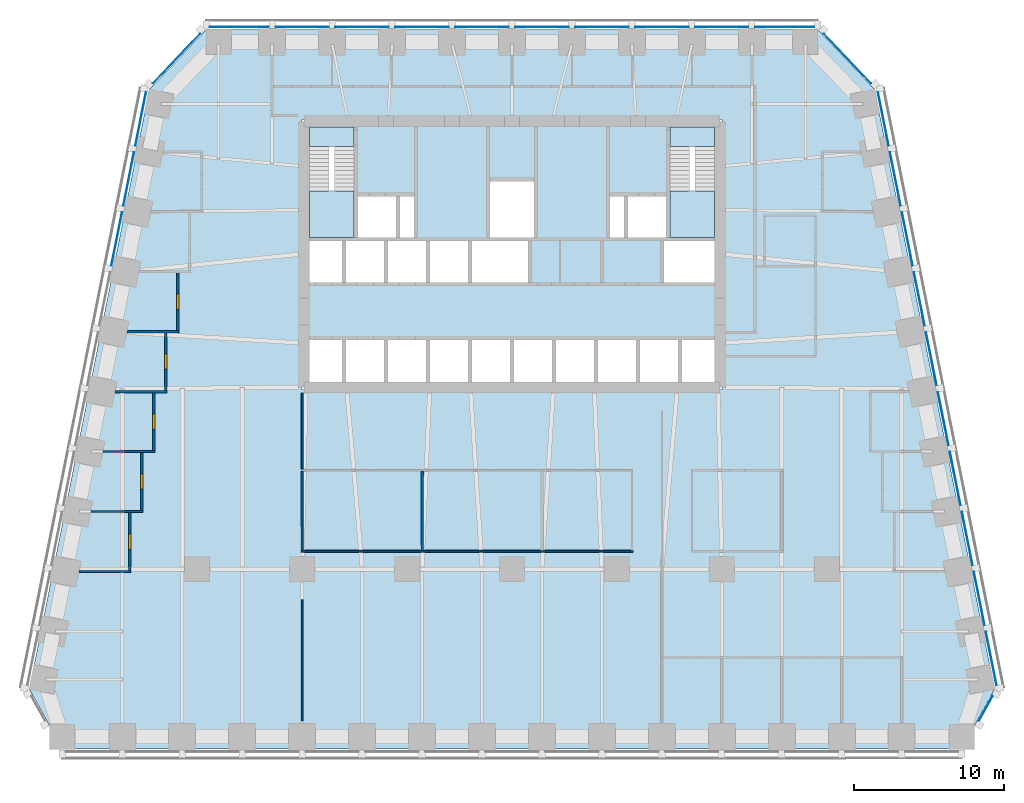
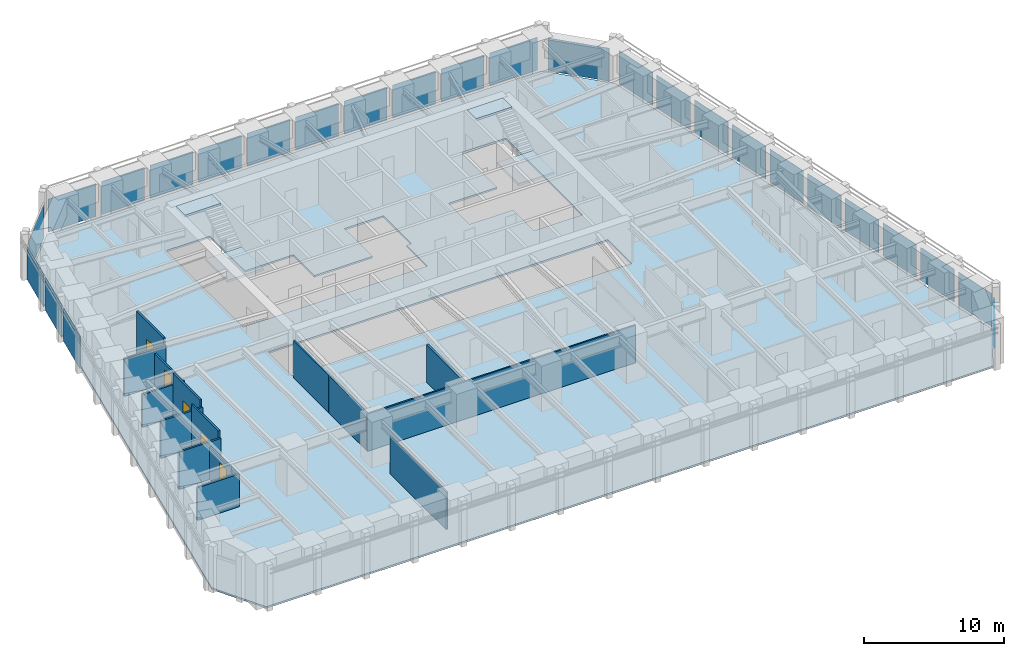
# One storey, part 5 of 10: 26 plates, 15 walls, 5 doors, 5 slabs, 5 openings, 8 elements without a shape of their own.
"""IFC4 building model written with IfcOpenShell, lengths in metres."""

from ifc_helpers import new_model, si_unit, direction, frame, frame_2d, origin, origin_2d, place, context, subcontext, project, spatial, polyline, rectangle, outline, extrude, material, layer, layer_set, type_object, element, fill, aggregate, save


model = new_model("IFC4")

# Units and contexts
model_context = context("Model", 3, precision=1e-05, world=origin(), true_north=direction((0.0, 1.0)))
body_context = subcontext(model_context, "Body", "Model", "MODEL_VIEW")
ifc_project = project(units=[si_unit("LENGTHUNIT", "METRE"), si_unit("AREAUNIT", "SQUARE_METRE"), si_unit("VOLUMEUNIT", "CUBIC_METRE"), si_unit("PLANEANGLEUNIT", "RADIAN"), si_unit("MASSUNIT", "GRAM", prefix="KILO")], contexts=[model_context])

# Site, building, storey
site_placement = place(None, origin())
site = spatial("IfcSite", under=ifc_project, at=site_placement, CompositionType="ELEMENT")
building_placement = place(site_placement, origin())
building = spatial("IfcBuilding", under=site, at=building_placement, Name="Isbrekke Arena Tower", CompositionType="ELEMENT")
storey_placement = place(building_placement, frame((0.0, 0.0, 159.0)))
storey = spatial("IfcBuildingStorey", under=building, at=storey_placement, Name="L36", CompositionType="ELEMENT", Elevation=159.0)

# Curtain wall, plate
ifc_material_1 = material(Name="Glazed aluminium curtain wall", Category="aluminium")
curtain_wall_type = type_object("IfcCurtainWallType", Name="CWM TOWER CURTAIN WALL MID ZONE", PredefinedType="USERDEFINED", material=ifc_material_1)
curtain_wall_1_placement = place(storey_placement, origin())
curtain_wall_1 = element("IfcCurtainWall", 1, at=curtain_wall_1_placement, inside=storey, type_object=curtain_wall_type, Name="CWM curtain wall L36-SE", ObjectType="TOWER CURTAIN WALL MID ZONE", PredefinedType="USERDEFINED")
ifc_material_2 = material(Name="Triple-glazed clear glass unit", Category="glass")
ifc_layer_1 = layer(ifc_material_2, 0.031982421875)
ifc_layer_set_1 = layer_set([ifc_layer_1], Name="CWM-P VISION PANEL")
plate_type = type_object("IfcPlateType", Name="CWM-P VISION PANEL", PredefinedType="CURTAIN_PANEL", material=ifc_layer_set_1)
plate_1_placement = place(storey_placement, frame((31.604248046875, -15.29052734375, 0.02001953125), z_axis=(0.0, 0.0, 1.0), x_axis=(0.481918749773, 0.876215908676, 0.0)))
plate_1 = element("IfcPlate", 2, at=plate_1_placement, type_object=plate_type, Name="CWM-P panel 1", PredefinedType="CURTAIN_PANEL", context=body_context, shape_type="SweptSolid", body=[
    extrude(rectangle(XDim=1.876220703125, YDim=0.031982421875, at=origin_2d()), origin(), (0.0, 0.0, 1.0), 2.8798828125),
])
aggregate(curtain_wall_1, [plate_1])

# Curtain wall, plates
curtain_wall_2_placement = place(storey_placement, origin())
curtain_wall_2 = element("IfcCurtainWall", 3, at=curtain_wall_2_placement, inside=storey, type_object=curtain_wall_type, Name="CWM curtain wall L36-E", ObjectType="TOWER CURTAIN WALL MID ZONE", PredefinedType="USERDEFINED")
plate_2_placement = place(storey_placement, frame((31.9716796875, -11.965576171875, 0.02001953125), z_axis=(0.0, 0.0, 1.0), x_axis=(-0.196116135138, 0.980580675691, 0.0)))
plate_2 = element("IfcPlate", 4, at=plate_2_placement, type_object=plate_type, Name="CWM-P panel 1", PredefinedType="CURTAIN_PANEL", context=body_context, shape_type="SweptSolid", body=[
    extrude(rectangle(XDim=3.629150390625, YDim=0.031982421875, at=origin_2d()), origin(), (0.0, 0.0, 1.0), 2.8798828125),
])
plate_3_placement = place(storey_placement, frame((31.171630859375, -7.965576171875, 0.02001953125), z_axis=(0.0, 0.0, 1.0), x_axis=(-0.196116135138, 0.980580675691, 0.0)))
plate_3 = element("IfcPlate", 5, at=plate_3_placement, type_object=plate_type, Name="CWM-P panel 2", PredefinedType="CURTAIN_PANEL", context=body_context, shape_type="SweptSolid", body=[
    extrude(rectangle(XDim=3.629150390625, YDim=0.031982421875, at=origin_2d()), origin(), (0.0, 0.0, 1.0), 2.8798828125),
])
plate_4_placement = place(storey_placement, frame((30.37158203125, -3.965576171875, 0.02001953125), z_axis=(0.0, 0.0, 1.0), x_axis=(-0.196116135138, 0.980580675691, 0.0)))
plate_4 = element("IfcPlate", 6, at=plate_4_placement, type_object=plate_type, Name="CWM-P panel 3", PredefinedType="CURTAIN_PANEL", context=body_context, shape_type="SweptSolid", body=[
    extrude(rectangle(XDim=3.629150390625, YDim=0.031982421875, at=origin_2d()), origin(), (0.0, 0.0, 1.0), 2.8798828125),
])
plate_5_placement = place(storey_placement, frame((29.571533203125, 0.034423828125, 0.02001953125), z_axis=(0.0, 0.0, 1.0), x_axis=(-0.196116135138, 0.980580675691, 0.0)))
plate_5 = element("IfcPlate", 7, at=plate_5_placement, type_object=plate_type, Name="CWM-P panel 4", PredefinedType="CURTAIN_PANEL", context=body_context, shape_type="SweptSolid", body=[
    extrude(rectangle(XDim=3.629150390625, YDim=0.031982421875, at=origin_2d()), origin(), (0.0, 0.0, 1.0), 2.8798828125),
])
plate_6_placement = place(storey_placement, frame((28.771484375, 4.034423828125, 0.02001953125), z_axis=(0.0, 0.0, 1.0), x_axis=(-0.196116135138, 0.980580675691, 0.0)))
plate_6 = element("IfcPlate", 8, at=plate_6_placement, type_object=plate_type, Name="CWM-P panel 5", PredefinedType="CURTAIN_PANEL", context=body_context, shape_type="SweptSolid", body=[
    extrude(rectangle(XDim=3.629150390625, YDim=0.031982421875, at=origin_2d()), origin(), (0.0, 0.0, 1.0), 2.8798828125),
])
plate_7_placement = place(storey_placement, frame((27.9716796875, 8.034423828125, 0.02001953125), z_axis=(0.0, 0.0, 1.0), x_axis=(-0.196116135138, 0.980580675691, 0.0)))
plate_7 = element("IfcPlate", 9, at=plate_7_placement, type_object=plate_type, Name="CWM-P panel 6", PredefinedType="CURTAIN_PANEL", context=body_context, shape_type="SweptSolid", body=[
    extrude(rectangle(XDim=3.629150390625, YDim=0.031982421875, at=origin_2d()), origin(), (0.0, 0.0, 1.0), 2.8798828125),
])
plate_8_placement = place(storey_placement, frame((27.171630859375, 12.034423828125, 0.02001953125), z_axis=(0.0, 0.0, 1.0), x_axis=(-0.196116135138, 0.980580675691, 0.0)))
plate_8 = element("IfcPlate", 10, at=plate_8_placement, type_object=plate_type, Name="CWM-P panel 7", PredefinedType="CURTAIN_PANEL", context=body_context, shape_type="SweptSolid", body=[
    extrude(rectangle(XDim=3.629150390625, YDim=0.031982421875, at=origin_2d()), origin(), (0.0, 0.0, 1.0), 2.8798828125),
])
plate_9_placement = place(storey_placement, frame((26.37158203125, 16.034423828125, 0.02001953125), z_axis=(0.0, 0.0, 1.0), x_axis=(-0.196116135138, 0.980580675691, 0.0)))
plate_9 = element("IfcPlate", 11, at=plate_9_placement, type_object=plate_type, Name="CWM-P panel 8", PredefinedType="CURTAIN_PANEL", context=body_context, shape_type="SweptSolid", body=[
    extrude(rectangle(XDim=3.629150390625, YDim=0.031982421875, at=origin_2d()), origin(), (0.0, 0.0, 1.0), 2.8798828125),
])
plate_10_placement = place(storey_placement, frame((25.571533203125, 20.034423828125, 0.02001953125), z_axis=(0.0, 0.0, 1.0), x_axis=(-0.196116135138, 0.980580675691, 0.0)))
plate_10 = element("IfcPlate", 12, at=plate_10_placement, type_object=plate_type, Name="CWM-P panel 9", PredefinedType="CURTAIN_PANEL", context=body_context, shape_type="SweptSolid", body=[
    extrude(rectangle(XDim=3.629150390625, YDim=0.031982421875, at=origin_2d()), origin(), (0.0, 0.0, 1.0), 2.8798828125),
])
plate_11_placement = place(storey_placement, frame((24.771484375, 24.034423828125, 0.02001953125), z_axis=(0.0, 0.0, 1.0), x_axis=(-0.196116135138, 0.980580675691, 0.0)))
plate_11 = element("IfcPlate", 13, at=plate_11_placement, type_object=plate_type, Name="CWM-P panel 10", PredefinedType="CURTAIN_PANEL", context=body_context, shape_type="SweptSolid", body=[
    extrude(rectangle(XDim=3.629150390625, YDim=0.031982421875, at=origin_2d()), origin(), (0.0, 0.0, 1.0), 2.8798828125),
])
aggregate(curtain_wall_2, [plate_2, plate_3, plate_4, plate_5, plate_6, plate_7, plate_8, plate_9, plate_10, plate_11])

# Curtain wall, plate
curtain_wall_3_placement = place(storey_placement, origin())
curtain_wall_3 = element("IfcCurtainWall", 14, at=curtain_wall_3_placement, inside=storey, type_object=curtain_wall_type, Name="CWM curtain wall L36-EN", ObjectType="TOWER CURTAIN WALL MID ZONE", PredefinedType="USERDEFINED")
plate_12_placement = place(storey_placement, frame((22.374755859375, 28.06640625, 0.02001953125), z_axis=(0.0, 0.0, 1.0), x_axis=(-0.68874946192, 0.72499943359, 0.0)))
plate_12 = element("IfcPlate", 15, at=plate_12_placement, type_object=plate_type, Name="CWM-P panel 1", PredefinedType="CURTAIN_PANEL", context=body_context, shape_type="SweptSolid", body=[
    extrude(rectangle(XDim=4.558349609375, YDim=0.031982421875, at=origin_2d()), origin(), (0.0, 0.0, 1.0), 2.8798828125),
])
aggregate(curtain_wall_3, [plate_12])

# Curtain wall, plates
curtain_wall_4_placement = place(storey_placement, origin())
curtain_wall_4 = element("IfcCurtainWall", 16, at=curtain_wall_4_placement, inside=storey, type_object=curtain_wall_type, Name="CWM curtain wall L36-N", ObjectType="TOWER CURTAIN WALL MID ZONE", PredefinedType="USERDEFINED")
plate_13_placement = place(storey_placement, frame((18.199951171875, 30.175048828125, 0.02001953125), z_axis=(0.0, 0.0, 1.0), x_axis=(-1.0, 0.0, 0.0)))
plate_13 = element("IfcPlate", 17, at=plate_13_placement, type_object=plate_type, Name="CWM-P panel 1", PredefinedType="CURTAIN_PANEL", context=body_context, shape_type="SweptSolid", body=[
    extrude(rectangle(XDim=3.949951171875, YDim=0.031982421875, at=origin_2d()), origin(), (0.0, 0.0, 1.0), 2.8798828125),
])
plate_14_placement = place(storey_placement, frame((14.0, 30.175048828125, 0.02001953125), z_axis=(0.0, 0.0, 1.0), x_axis=(-1.0, 0.0, 0.0)))
plate_14 = element("IfcPlate", 18, at=plate_14_placement, type_object=plate_type, Name="CWM-P panel 2", PredefinedType="CURTAIN_PANEL", context=body_context, shape_type="SweptSolid", body=[
    extrude(rectangle(XDim=3.550048828125, YDim=0.031982421875, at=origin_2d()), origin(), (0.0, 0.0, 1.0), 2.8798828125),
])
plate_15_placement = place(storey_placement, frame((10.0, 30.175048828125, 0.02001953125), z_axis=(0.0, 0.0, 1.0), x_axis=(-1.0, 0.0, 0.0)))
plate_15 = element("IfcPlate", 19, at=plate_15_placement, type_object=plate_type, Name="CWM-P panel 3", PredefinedType="CURTAIN_PANEL", context=body_context, shape_type="SweptSolid", body=[
    extrude(rectangle(XDim=3.550048828125, YDim=0.031982421875, at=origin_2d()), origin(), (0.0, 0.0, 1.0), 2.8798828125),
])
plate_16_placement = place(storey_placement, frame((6.0, 30.175048828125, 0.02001953125), z_axis=(0.0, 0.0, 1.0), x_axis=(-1.0, 0.0, 0.0)))
plate_16 = element("IfcPlate", 20, at=plate_16_placement, type_object=plate_type, Name="CWM-P panel 4", PredefinedType="CURTAIN_PANEL", context=body_context, shape_type="SweptSolid", body=[
    extrude(rectangle(XDim=3.550048828125, YDim=0.031982421875, at=origin_2d()), origin(), (0.0, 0.0, 1.0), 2.8798828125),
])
plate_17_placement = place(storey_placement, frame((2.0, 30.175048828125, 0.02001953125), z_axis=(0.0, 0.0, 1.0), x_axis=(-1.0, 0.0, 0.0)))
plate_17 = element("IfcPlate", 21, at=plate_17_placement, type_object=plate_type, Name="CWM-P panel 5", PredefinedType="CURTAIN_PANEL", context=body_context, shape_type="SweptSolid", body=[
    extrude(rectangle(XDim=3.550048828125, YDim=0.031982421875, at=origin_2d()), origin(), (0.0, 0.0, 1.0), 2.8798828125),
])
plate_18_placement = place(storey_placement, frame((-2.0, 30.175048828125, 0.02001953125), z_axis=(0.0, 0.0, 1.0), x_axis=(-1.0, 0.0, 0.0)))
plate_18 = element("IfcPlate", 22, at=plate_18_placement, type_object=plate_type, Name="CWM-P panel 6", PredefinedType="CURTAIN_PANEL", context=body_context, shape_type="SweptSolid", body=[
    extrude(rectangle(XDim=3.550048828125, YDim=0.031982421875, at=origin_2d()), origin(), (0.0, 0.0, 1.0), 2.8798828125),
])
plate_19_placement = place(storey_placement, frame((-6.0, 30.175048828125, 0.02001953125), z_axis=(0.0, 0.0, 1.0), x_axis=(-1.0, 0.0, 0.0)))
plate_19 = element("IfcPlate", 23, at=plate_19_placement, type_object=plate_type, Name="CWM-P panel 7", PredefinedType="CURTAIN_PANEL", context=body_context, shape_type="SweptSolid", body=[
    extrude(rectangle(XDim=3.550048828125, YDim=0.031982421875, at=origin_2d()), origin(), (0.0, 0.0, 1.0), 2.8798828125),
])
plate_20_placement = place(storey_placement, frame((-10.0, 30.175048828125, 0.02001953125), z_axis=(0.0, 0.0, 1.0), x_axis=(-1.0, 0.0, 0.0)))
plate_20 = element("IfcPlate", 24, at=plate_20_placement, type_object=plate_type, Name="CWM-P panel 8", PredefinedType="CURTAIN_PANEL", context=body_context, shape_type="SweptSolid", body=[
    extrude(rectangle(XDim=3.550048828125, YDim=0.031982421875, at=origin_2d()), origin(), (0.0, 0.0, 1.0), 2.8798828125),
])
plate_21_placement = place(storey_placement, frame((-14.0, 30.175048828125, 0.02001953125), z_axis=(0.0, 0.0, 1.0), x_axis=(-1.0, 0.0, 0.0)))
plate_21 = element("IfcPlate", 25, at=plate_21_placement, type_object=plate_type, Name="CWM-P panel 9", PredefinedType="CURTAIN_PANEL", context=body_context, shape_type="SweptSolid", body=[
    extrude(rectangle(XDim=3.550048828125, YDim=0.031982421875, at=origin_2d()), origin(), (0.0, 0.0, 1.0), 2.8798828125),
])
plate_22_placement = place(storey_placement, frame((-18.199951171875, 30.175048828125, 0.02001953125), z_axis=(0.0, 0.0, 1.0), x_axis=(-1.0, 0.0, 0.0)))
plate_22 = element("IfcPlate", 26, at=plate_22_placement, type_object=plate_type, Name="CWM-P panel 10", PredefinedType="CURTAIN_PANEL", context=body_context, shape_type="SweptSolid", body=[
    extrude(rectangle(XDim=3.949951171875, YDim=0.031982421875, at=origin_2d()), origin(), (0.0, 0.0, 1.0), 2.8798828125),
])
aggregate(curtain_wall_4, [plate_13, plate_14, plate_15, plate_16, plate_17, plate_18, plate_19, plate_20, plate_21, plate_22])

# Curtain wall, plate
curtain_wall_5_placement = place(storey_placement, origin())
curtain_wall_5 = element("IfcCurtainWall", 27, at=curtain_wall_5_placement, inside=storey, type_object=curtain_wall_type, Name="CWM curtain wall L36-NW", ObjectType="TOWER CURTAIN WALL MID ZONE", PredefinedType="USERDEFINED")
plate_23_placement = place(storey_placement, frame((-22.37451171875, 28.066650390625, 0.02001953125), z_axis=(0.0, 0.0, 1.0), x_axis=(-0.68874946192, -0.72499943359, 0.0)))
plate_23 = element("IfcPlate", 28, at=plate_23_placement, type_object=plate_type, Name="CWM-P panel 1", PredefinedType="CURTAIN_PANEL", context=body_context, shape_type="SweptSolid", body=[
    extrude(rectangle(XDim=4.557373046875, YDim=0.031982421875, at=origin_2d()), origin(), (0.0, 0.0, 1.0), 2.8798828125),
])
aggregate(curtain_wall_5, [plate_23])

# Curtain wall, plates
curtain_wall_6_placement = place(storey_placement, origin())
curtain_wall_6 = element("IfcCurtainWall", 29, at=curtain_wall_6_placement, inside=storey, type_object=curtain_wall_type, Name="CWM curtain wall L36-W", ObjectType="TOWER CURTAIN WALL MID ZONE", PredefinedType="USERDEFINED")
plate_24_placement = place(storey_placement, frame((-24.771484375, 24.034423828125, 0.02001953125), z_axis=(0.0, 0.0, 1.0), x_axis=(-0.196116135138, -0.980580675691, 0.0)))
plate_24 = element("IfcPlate", 30, at=plate_24_placement, type_object=plate_type, Name="CWM-P panel 1", PredefinedType="CURTAIN_PANEL", context=body_context, shape_type="SweptSolid", body=[
    extrude(rectangle(XDim=3.629150390625, YDim=0.031982421875, at=origin_2d()), origin(), (0.0, 0.0, 1.0), 2.8798828125),
])
plate_25_placement = place(storey_placement, frame((-25.571533203125, 20.034423828125, 0.02001953125), z_axis=(0.0, 0.0, 1.0), x_axis=(-0.196116135138, -0.980580675691, 0.0)))
plate_25 = element("IfcPlate", 31, at=plate_25_placement, type_object=plate_type, Name="CWM-P panel 2", PredefinedType="CURTAIN_PANEL", context=body_context, shape_type="SweptSolid", body=[
    extrude(rectangle(XDim=3.629150390625, YDim=0.031982421875, at=origin_2d()), origin(), (0.0, 0.0, 1.0), 2.8798828125),
])
plate_26_placement = place(storey_placement, frame((-26.37158203125, 16.034423828125, 0.02001953125), z_axis=(0.0, 0.0, 1.0), x_axis=(-0.196116135138, -0.980580675691, 0.0)))
plate_26 = element("IfcPlate", 32, at=plate_26_placement, type_object=plate_type, Name="CWM-P panel 3", PredefinedType="CURTAIN_PANEL", context=body_context, shape_type="SweptSolid", body=[
    extrude(rectangle(XDim=3.629150390625, YDim=0.031982421875, at=origin_2d()), origin(), (0.0, 0.0, 1.0), 2.8798828125),
])
aggregate(curtain_wall_6, [plate_24, plate_25, plate_26])

# Slab
ifc_material_3 = material(Name="Concrete B35 (C35/45)", Category="concrete")
ifc_layer_2 = layer(ifc_material_3, 0.14990234375)
ifc_layer_set_2 = layer_set([ifc_layer_2], Name="FS1 COMPOSITE FLOOR 150")
slab_type_1 = type_object("IfcSlabType", Name="FS1 COMPOSITE FLOOR 150", PredefinedType="FLOOR", material=ifc_layer_set_2)
slab_1_placement = place(storey_placement, frame((0.0, 0.0, -0.14990234375)))
element("IfcSlab", 33, at=slab_1_placement, inside=storey, type_object=slab_type_1, Name="FS1 floor slab L36", PredefinedType="FLOOR", context=body_context, shape_type="SweptSolid", body=[
    extrude(outline(polyline([(-30.0, -18.0), (30.0, -18.0), (32.199951171875, -14.0), (24.199951171875, 26.0), (20.39990234375, 30.0), (-20.39990234375, 30.0), (-24.199951171875, 26.0), (-32.199951171875, -14.0), (-30.0, -18.0)]), holes=[polyline([(14.0, 9.39990234375), (14.0, 6.0), (-14.0, 6.0), (-14.0, 9.39990234375), (14.0, 9.39990234375)]), polyline([(-6.39990234375, 19.0), (-6.39990234375, 16.0), (-1.60009765625, 16.0), (-1.60009765625, 20.0), (1.60009765625, 20.0), (1.60009765625, 16.0), (1.199951171875, 16.0), (1.199951171875, 13.0), (-14.0, 13.0), (-14.0, 24.0), (-10.39990234375, 24.0), (-10.39990234375, 19.0), (-6.39990234375, 19.0)]), polyline([(10.0, 13.0), (10.0, 16.0), (6.39990234375, 16.0), (6.39990234375, 19.0), (10.39990234375, 19.0), (10.39990234375, 24.0), (14.0, 24.0), (14.0, 13.0), (10.0, 13.0)])]), origin(), (0.0, 0.0, 1.0), 0.14990234375),
])

# Stair, slabs
ifc_material_4 = material(Name="Concrete B45 (C45/55) precast", Category="concrete")
stair_type = type_object("IfcStairType", Name="ST40 STAIR 1300 WIDE, 24 RISERS 167", PredefinedType="HALF_TURN_STAIR", material=ifc_material_4)
stair_1_placement = place(storey_placement, origin())
stair_1 = element("IfcStair", 34, at=stair_1_placement, inside=storey, type_object=stair_type, Name="ST1 stair L36", PredefinedType="HALF_TURN_STAIR")
ifc_material_5 = material(Name="Concrete B35 (C35/45)", Category="concrete")
ifc_layer_3 = layer(ifc_material_5, 0.199951171875)
ifc_layer_set_3 = layer_set([ifc_layer_3], Name="SL1 STAIR LANDING 200")
slab_type_2 = type_object("IfcSlabType", Name="SL1 STAIR LANDING 200", PredefinedType="LANDING", material=ifc_layer_set_3)
slab_2_placement = place(storey_placement, frame((0.0, 0.0, 1.800048828125)))
slab_2 = element("IfcSlab", 35, at=slab_2_placement, type_object=slab_type_2, Name="ST1 landing 1", PredefinedType="LANDING", context=body_context, shape_type="SweptSolid", body=[
    extrude(outline(polyline([(-13.5, 16.125), (-10.52490234375, 16.125), (-10.52490234375, 19.22998046875), (-13.5, 19.22998046875), (-13.5, 16.125)])), origin(), (0.0, 0.0, 1.0), 0.199951171875),
])
slab_3_placement = place(storey_placement, frame((0.0, 0.0, 3.800048828125)))
slab_3 = element("IfcSlab", 36, at=slab_3_placement, type_object=slab_type_2, Name="ST1 landing 2", PredefinedType="LANDING", context=body_context, shape_type="SweptSolid", body=[
    extrude(outline(polyline([(-13.5, 22.199951171875), (-10.52490234375, 22.199951171875), (-10.52490234375, 23.5), (-13.5, 23.5), (-13.5, 22.199951171875)])), origin(), (0.0, 0.0, 1.0), 0.199951171875),
])
aggregate(stair_1, [slab_2, slab_3])

stair_2_placement = place(storey_placement, origin())
stair_2 = element("IfcStair", 37, at=stair_2_placement, inside=storey, type_object=stair_type, Name="ST2 stair L36", PredefinedType="HALF_TURN_STAIR")
slab_4_placement = place(storey_placement, frame((0.0, 0.0, 1.800048828125)))
slab_4 = element("IfcSlab", 38, at=slab_4_placement, type_object=slab_type_2, Name="ST2 landing 1", PredefinedType="LANDING", context=body_context, shape_type="SweptSolid", body=[
    extrude(outline(polyline([(10.52490234375, 16.125), (13.5, 16.125), (13.5, 19.22998046875), (10.52490234375, 19.22998046875), (10.52490234375, 16.125)])), origin(), (0.0, 0.0, 1.0), 0.199951171875),
])
slab_5_placement = place(storey_placement, frame((0.0, 0.0, 3.800048828125)))
slab_5 = element("IfcSlab", 39, at=slab_5_placement, type_object=slab_type_2, Name="ST2 landing 2", PredefinedType="LANDING", context=body_context, shape_type="SweptSolid", body=[
    extrude(outline(polyline([(10.52490234375, 22.199951171875), (13.5, 22.199951171875), (13.5, 23.5), (10.52490234375, 23.5), (10.52490234375, 22.199951171875)])), origin(), (0.0, 0.0, 1.0), 0.199951171875),
])
aggregate(stair_2, [slab_4, slab_5])

# Walls
ifc_material_6 = material(Name="Gypsum board partition on steel studs", Category="steel")
ifc_layer_4 = layer(ifc_material_6, 0.14990234375)
ifc_layer_set_4 = layer_set([ifc_layer_4], Name="IW1 PARTITION 150")
wall_type_1 = type_object("IfcWallType", Name="IW1 PARTITION 150", PredefinedType="PARTITIONING", material=ifc_layer_set_4)
wall_1_placement = place(storey_placement, frame((-28.872802734375, -6.159912109375, 0.0), z_axis=(0.0, 0.0, 1.0), x_axis=(1.0, 0.0, 0.0)))
element("IfcWall", 40, at=wall_1_placement, inside=storey, type_object=wall_type_1, Name="IW1 partition 150 L36", PredefinedType="PARTITIONING", context=body_context, shape_type="SweptSolid", body=[
    extrude(rectangle(XDim=3.44775390625, YDim=0.14990234375, at=frame_2d((1.723876953125, 0.0))), origin(), (0.0, 0.0, 1.0), 2.842041015625),
])
for number, where, z_axis, x_axis, name in (
    (41, (-28.07275390625, -2.159912109375, 0.0), (0.0, 0.0, 1.0), (1.0, 0.0, 0.0), "IW1 partition 150 L36"),
    (42, (-27.272705078125, 1.840087890625, 0.0), (0.0, 0.0, 1.0), (1.0, 0.0, 0.0), "IW1 partition 150 L36"),
):
    element("IfcWall", number, at=place(storey_placement, frame(where, z_axis=z_axis, x_axis=x_axis)), inside=storey, type_object=wall_type_1, Name=name, PredefinedType="PARTITIONING", context=body_context, shape_type="SweptSolid", body=[
        extrude(rectangle(XDim=3.44775390625, YDim=0.14990234375, at=frame_2d((1.723876953125, 0.0))), origin(), (0.0, 0.0, 1.0), 3.25),
    ])
wall_2_placement = place(storey_placement, frame((-26.472900390625, 5.840087890625, 0.0), z_axis=(0.0, 0.0, 1.0), x_axis=(1.0, 0.0, 0.0)))
element("IfcWall", 43, at=wall_2_placement, inside=storey, type_object=wall_type_1, Name="IW1 partition 150 L36", PredefinedType="PARTITIONING", context=body_context, shape_type="SweptSolid", body=[
    extrude(rectangle(XDim=3.447998046875, YDim=0.14990234375, at=frame_2d((1.72412109375, 0.0))), origin(), (0.0, 0.0, 1.0), 2.842041015625),
])
wall_3_placement = place(storey_placement, frame((-25.6728515625, 9.840087890625, 0.0), z_axis=(0.0, 0.0, 1.0), x_axis=(1.0, 0.0, 0.0)))
element("IfcWall", 44, at=wall_3_placement, inside=storey, type_object=wall_type_1, Name="IW1 partition 150 L36", PredefinedType="PARTITIONING", context=body_context, shape_type="SweptSolid", body=[
    extrude(rectangle(XDim=3.44775390625, YDim=0.14990234375, at=frame_2d((1.723876953125, 0.0))), origin(), (0.0, 0.0, 1.0), 3.25),
])

# Wall, opening, door
wall_4_placement = place(storey_placement, frame((-25.5, -6.0849609375, 0.0), z_axis=(0.0, 0.0, 1.0), x_axis=(0.0, 1.0, 0.0)))
wall_4 = element("IfcWall", 45, at=wall_4_placement, inside=storey, type_object=wall_type_1, Name="IW1 partition 150 L36", PredefinedType="PARTITIONING", context=body_context, shape_type="SweptSolid", body=[
    extrude(rectangle(XDim=3.849853515625, YDim=0.14990234375, at=frame_2d((1.9248046875, 0.0))), origin(), (0.0, 0.0, 1.0), 2.842041015625),
])
opening_1_placement = place(wall_4_placement, frame((1.425048828125, 0.0, 0.0)))
opening_1 = element("IfcOpeningElement", 46, at=opening_1_placement, cuts=wall_4, Name="Opening D10", PredefinedType="OPENING", context=body_context, shape_type="SweptSolid", body=[
    extrude(rectangle(XDim=1.0, YDim=2.300048828125, at=frame_2d((0.5, 1.14990234375))), frame((0.0, 0.08984375, 0.0), z_axis=(0.0, -1.0, 0.0), x_axis=(1.0, 0.0, 0.0)), (0.0, 0.0, 1.0), 0.1796875),
])
ifc_material_7 = material(Name="Timber door", Category="wood")
door_type = type_object("IfcDoorType", Name="D10 OFFICE DOOR 1000 x 2300", OperationType="SINGLE_SWING_LEFT", PredefinedType="DOOR", material=ifc_material_7)
door_1_placement = place(opening_1_placement, origin())
door_1 = element("IfcDoor", 47, at=door_1_placement, inside=storey, type_object=door_type, Name="D10 office door L36", OperationType="SINGLE_SWING_LEFT", OverallHeight=2.300048828125, OverallWidth=1.0, PredefinedType="DOOR", context=body_context, shape_type="SweptSolid", body=[
    extrude(rectangle(XDim=1.0, YDim=2.300048828125, at=frame_2d((0.5, 1.14990234375))), frame((0.0, 0.07470703125, 0.0), z_axis=(0.0, -1.0, 0.0), x_axis=(1.0, 0.0, 0.0)), (0.0, 0.0, 1.0), 0.1494140625),
])
fill(opening_1, door_1)

wall_5_placement = place(storey_placement, frame((-24.699951171875, -2.0849609375, 0.0), z_axis=(0.0, 0.0, 1.0), x_axis=(0.0, 1.0, 0.0)))
wall_5 = element("IfcWall", 48, at=wall_5_placement, inside=storey, type_object=wall_type_1, Name="IW1 partition 150 L36", PredefinedType="PARTITIONING", context=body_context, shape_type="SweptSolid", body=[
    extrude(rectangle(XDim=3.849853515625, YDim=0.14990234375, at=frame_2d((1.9248046875, 0.0))), origin(), (0.0, 0.0, 1.0), 3.85009765625),
])
opening_2_placement = place(wall_5_placement, frame((1.425048828125, 0.0, 0.0)))
opening_2 = element("IfcOpeningElement", 49, at=opening_2_placement, cuts=wall_5, Name="Opening D10", PredefinedType="OPENING", context=body_context, shape_type="SweptSolid", body=[
    extrude(rectangle(XDim=1.0, YDim=2.300048828125, at=frame_2d((0.5, 1.14990234375))), frame((0.0, 0.08984375, 0.0), z_axis=(0.0, -1.0, 0.0), x_axis=(1.0, 0.0, 0.0)), (0.0, 0.0, 1.0), 0.1796875),
])
door_2_placement = place(opening_2_placement, origin())
door_2 = element("IfcDoor", 50, at=door_2_placement, inside=storey, type_object=door_type, Name="D10 office door L36", OperationType="SINGLE_SWING_LEFT", OverallHeight=2.300048828125, OverallWidth=1.0, PredefinedType="DOOR", context=body_context, shape_type="SweptSolid", body=[
    extrude(rectangle(XDim=1.0, YDim=2.300048828125, at=frame_2d((0.5, 1.14990234375))), frame((0.0, 0.07470703125, 0.0), z_axis=(0.0, -1.0, 0.0), x_axis=(1.0, 0.0, 0.0)), (0.0, 0.0, 1.0), 0.1494140625),
])
fill(opening_2, door_2)

wall_6_placement = place(storey_placement, frame((-23.89990234375, 1.9150390625, 0.0), z_axis=(0.0, 0.0, 1.0), x_axis=(0.0, 1.0, 0.0)))
wall_6 = element("IfcWall", 51, at=wall_6_placement, inside=storey, type_object=wall_type_1, Name="IW1 partition 150 L36", PredefinedType="PARTITIONING", context=body_context, shape_type="SweptSolid", body=[
    extrude(rectangle(XDim=3.849853515625, YDim=0.14990234375, at=frame_2d((1.9248046875, 0.0))), origin(), (0.0, 0.0, 1.0), 3.85009765625),
])
opening_3_placement = place(wall_6_placement, frame((1.425048828125, 0.0, 0.0)))
opening_3 = element("IfcOpeningElement", 52, at=opening_3_placement, cuts=wall_6, Name="Opening D10", PredefinedType="OPENING", context=body_context, shape_type="SweptSolid", body=[
    extrude(rectangle(XDim=1.0, YDim=2.300048828125, at=frame_2d((0.5, 1.14990234375))), frame((0.0, 0.08984375, 0.0), z_axis=(0.0, -1.0, 0.0), x_axis=(1.0, 0.0, 0.0)), (0.0, 0.0, 1.0), 0.1796875),
])
door_3_placement = place(opening_3_placement, origin())
door_3 = element("IfcDoor", 53, at=door_3_placement, inside=storey, type_object=door_type, Name="D10 office door L36", OperationType="SINGLE_SWING_LEFT", OverallHeight=2.300048828125, OverallWidth=1.0, PredefinedType="DOOR", context=body_context, shape_type="SweptSolid", body=[
    extrude(rectangle(XDim=1.0, YDim=2.300048828125, at=frame_2d((0.5, 1.14990234375))), frame((0.0, 0.07470703125, 0.0), z_axis=(0.0, -1.0, 0.0), x_axis=(1.0, 0.0, 0.0)), (0.0, 0.0, 1.0), 0.1494140625),
])
fill(opening_3, door_3)

wall_7_placement = place(storey_placement, frame((-23.10009765625, 5.9150390625, 0.0), z_axis=(0.0, 0.0, 1.0), x_axis=(0.0, 1.0, 0.0)))
wall_7 = element("IfcWall", 54, at=wall_7_placement, inside=storey, type_object=wall_type_1, Name="IW1 partition 150 L36", PredefinedType="PARTITIONING", context=body_context, shape_type="SweptSolid", body=[
    extrude(rectangle(XDim=3.849853515625, YDim=0.14990234375, at=frame_2d((1.9248046875, 0.0))), origin(), (0.0, 0.0, 1.0), 2.842041015625),
])
opening_4_placement = place(wall_7_placement, frame((1.425048828125, 0.0, 0.0)))
opening_4 = element("IfcOpeningElement", 55, at=opening_4_placement, cuts=wall_7, Name="Opening D10", PredefinedType="OPENING", context=body_context, shape_type="SweptSolid", body=[
    extrude(rectangle(XDim=1.0, YDim=2.300048828125, at=frame_2d((0.5, 1.14990234375))), frame((0.0, 0.08984375, 0.0), z_axis=(0.0, -1.0, 0.0), x_axis=(1.0, 0.0, 0.0)), (0.0, 0.0, 1.0), 0.1796875),
])
door_4_placement = place(opening_4_placement, origin())
door_4 = element("IfcDoor", 56, at=door_4_placement, inside=storey, type_object=door_type, Name="D10 office door L36", OperationType="SINGLE_SWING_LEFT", OverallHeight=2.300048828125, OverallWidth=1.0, PredefinedType="DOOR", context=body_context, shape_type="SweptSolid", body=[
    extrude(rectangle(XDim=1.0, YDim=2.300048828125, at=frame_2d((0.5, 1.14990234375))), frame((0.0, 0.07470703125, 0.0), z_axis=(0.0, -1.0, 0.0), x_axis=(1.0, 0.0, 0.0)), (0.0, 0.0, 1.0), 0.1494140625),
])
fill(opening_4, door_4)

wall_8_placement = place(storey_placement, frame((-22.300048828125, 9.9150390625, 0.0), z_axis=(0.0, 0.0, 1.0), x_axis=(0.0, 1.0, 0.0)))
wall_8 = element("IfcWall", 57, at=wall_8_placement, inside=storey, type_object=wall_type_1, Name="IW1 partition 150 L36", PredefinedType="PARTITIONING", context=body_context, shape_type="SweptSolid", body=[
    extrude(rectangle(XDim=3.849853515625, YDim=0.14990234375, at=frame_2d((1.9248046875, 0.0))), origin(), (0.0, 0.0, 1.0), 3.85009765625),
])
opening_5_placement = place(wall_8_placement, frame((1.425048828125, 0.0, 0.0)))
opening_5 = element("IfcOpeningElement", 58, at=opening_5_placement, cuts=wall_8, Name="Opening D10", PredefinedType="OPENING", context=body_context, shape_type="SweptSolid", body=[
    extrude(rectangle(XDim=1.0, YDim=2.300048828125, at=frame_2d((0.5, 1.14990234375))), frame((0.0, 0.08984375, 0.0), z_axis=(0.0, -1.0, 0.0), x_axis=(1.0, 0.0, 0.0)), (0.0, 0.0, 1.0), 0.1796875),
])
door_5_placement = place(opening_5_placement, origin())
door_5 = element("IfcDoor", 59, at=door_5_placement, inside=storey, type_object=door_type, Name="D10 office door L36", OperationType="SINGLE_SWING_LEFT", OverallHeight=2.300048828125, OverallWidth=1.0, PredefinedType="DOOR", context=body_context, shape_type="SweptSolid", body=[
    extrude(rectangle(XDim=1.0, YDim=2.300048828125, at=frame_2d((0.5, 1.14990234375))), frame((0.0, 0.07470703125, 0.0), z_axis=(0.0, -1.0, 0.0), x_axis=(1.0, 0.0, 0.0)), (0.0, 0.0, 1.0), 0.1494140625),
])
fill(opening_5, door_5)

# Walls
ifc_material_8 = material(Name="Frameless glazed partition, laminated acoustic glass", Category="glass")
ifc_layer_5 = layer(ifc_material_8, 0.1201171875)
ifc_layer_set_5 = layer_set([ifc_layer_5], Name="IW2 GLAZED PARTITION 120")
wall_type_2 = type_object("IfcWallType", Name="IW2 GLAZED PARTITION 120", PredefinedType="PARTITIONING", material=ifc_layer_set_5)
wall_9_placement = place(storey_placement, frame((-14.06005859375, -4.800048828125, 0.0), z_axis=(0.0, 0.0, 1.0), x_axis=(1.0, 0.0, 0.0)))
element("IfcWall", 60, at=wall_9_placement, inside=storey, type_object=wall_type_2, Name="IW2 glazed partition 120 L36", PredefinedType="PARTITIONING", context=body_context, shape_type="SweptSolid", body=[
    extrude(rectangle(XDim=22.1201171875, YDim=0.1201171875, at=frame_2d((11.06005859375, 0.0))), origin(), (0.0, 0.0, 1.0), 3.25),
])
wall_10_placement = place(storey_placement, frame((-14.0, -4.739990234375, 0.0), z_axis=(0.0, 0.0, 1.0), x_axis=(0.0, 1.0, 0.0)))
element("IfcWall", 61, at=wall_10_placement, inside=storey, type_object=wall_type_2, Name="IW2 glazed partition 120 L36", PredefinedType="PARTITIONING", context=body_context, shape_type="SweptSolid", body=[
    extrude(rectangle(XDim=5.280029296875, YDim=0.1201171875, at=frame_2d((2.64013671875, 0.0))), origin(), (0.0, 0.0, 1.0), 3.25),
])
wall_11_placement = place(storey_placement, frame((-13.9990234375, -16.10009765625, 0.0), z_axis=(0.0, 0.0, 1.0), x_axis=(0.0, 1.0, 0.0)))
element("IfcWall", 62, at=wall_11_placement, inside=storey, type_object=wall_type_2, Name="IW2 glazed partition 120 L36", PredefinedType="PARTITIONING", context=body_context, shape_type="SweptSolid", body=[
    extrude(rectangle(XDim=8.050048828125, YDim=0.1201171875, at=frame_2d((4.02490234375, 0.0))), origin(), (0.0, 0.0, 1.0), 3.25),
])
wall_12_placement = place(storey_placement, frame((-13.9990234375, 0.679931640625, 0.0), z_axis=(0.0, 0.0, 1.0), x_axis=(0.0, 1.0, 0.0)))
element("IfcWall", 63, at=wall_12_placement, inside=storey, type_object=wall_type_2, Name="IW2 glazed partition 120 L36", PredefinedType="PARTITIONING", context=body_context, shape_type="SweptSolid", body=[
    extrude(rectangle(XDim=5.070068359375, YDim=0.1201171875, at=frame_2d((2.53515625, 0.0))), origin(), (0.0, 0.0, 1.0), 3.25),
])
ifc_material_9 = material(Name="Gypsum board acoustic partition on twin steel studs", Category="steel")
ifc_layer_6 = layer(ifc_material_9, 0.175048828125)
ifc_layer_set_6 = layer_set([ifc_layer_6], Name="IW4 ACOUSTIC PARTITION 175")
wall_type_3 = type_object("IfcWallType", Name="IW4 ACOUSTIC PARTITION 175", PredefinedType="PARTITIONING", material=ifc_layer_set_6)
wall_13_placement = place(storey_placement, frame((-6.0, -4.739990234375, 0.0), z_axis=(0.0, 0.0, 1.0), x_axis=(0.0, 1.0, 0.0)))
element("IfcWall", 64, at=wall_13_placement, inside=storey, type_object=wall_type_3, Name="IW4 acoustic partition 175 L36", PredefinedType="PARTITIONING", context=body_context, shape_type="SweptSolid", body=[
    extrude(rectangle(XDim=5.280029296875, YDim=0.175048828125, at=frame_2d((2.64013671875, 0.0))), origin(), (0.0, 0.0, 1.0), 3.25),
])

save(model, "model.ifc")
